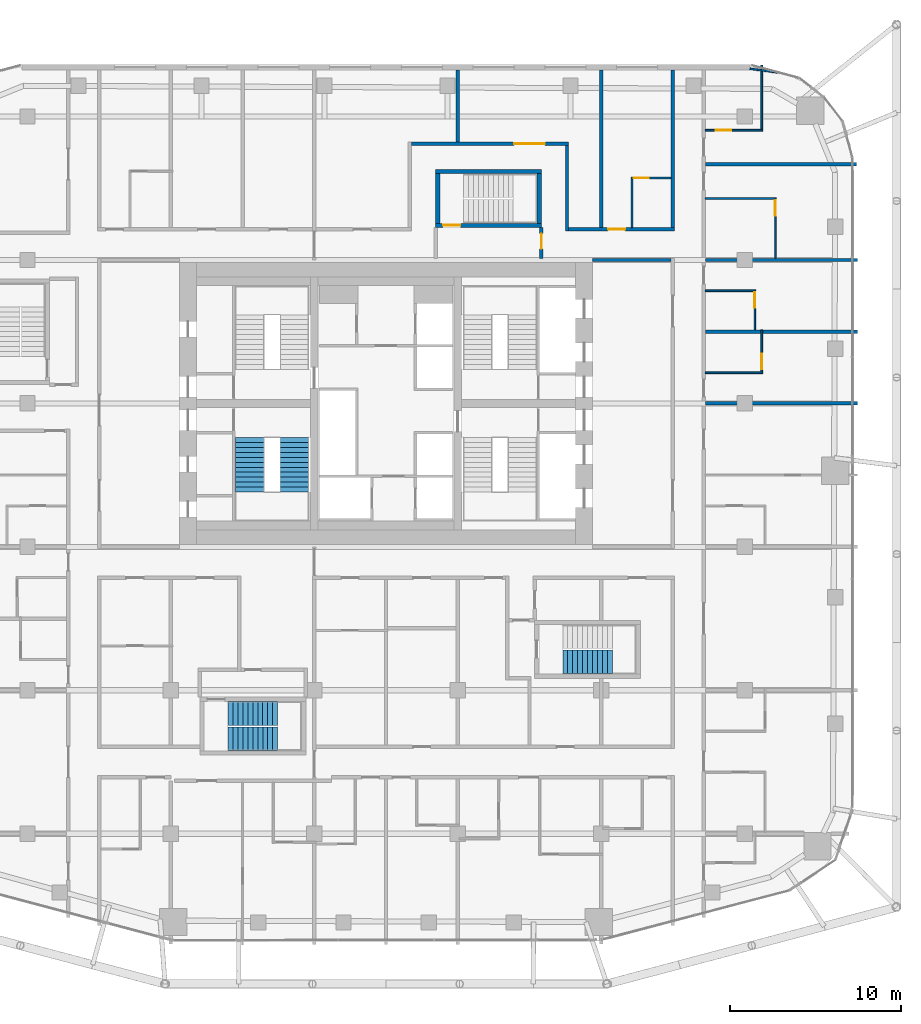
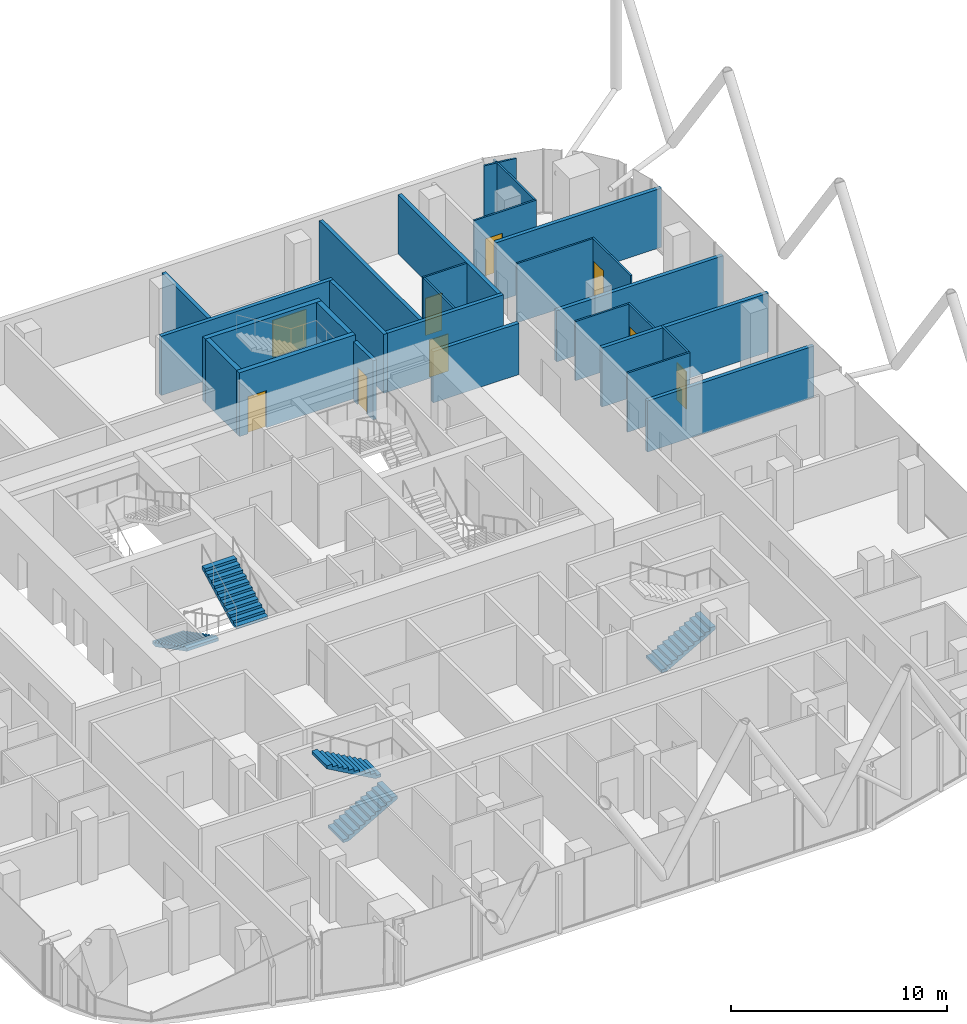
# One storey, part 33 of 36: 27 walls, 9 doors, 5 stair flights, 9 openings, 3 elements without a shape of their own.
"""IFC4 building model written with IfcOpenShell, lengths in metres."""

from ifc_helpers import new_model, si_unit, direction, frame, frame_2d, origin, place, context, subcontext, project, spatial, polyline, rectangle, outline, extrude, material, layer, layer_set, type_object, element, fill, aggregate, save


model = new_model("IFC4")

# Units and contexts
model_context = context("Model", 3, precision=1e-05, world=origin(), true_north=direction((0.0, 1.0)))
body_context = subcontext(model_context, "Body", "Model", "MODEL_VIEW")
ifc_project = project(units=[si_unit("LENGTHUNIT", "METRE"), si_unit("AREAUNIT", "SQUARE_METRE"), si_unit("VOLUMEUNIT", "CUBIC_METRE"), si_unit("PLANEANGLEUNIT", "RADIAN"), si_unit("MASSUNIT", "GRAM", prefix="KILO")], contexts=[model_context])

# Site, building, storey
site_placement = place(None, origin())
site = spatial("IfcSite", under=ifc_project, at=site_placement, CompositionType="ELEMENT")
building_placement = place(site_placement, origin())
building = spatial("IfcBuilding", under=site, at=building_placement, Name="Marenta Gate Hotel Tower", CompositionType="ELEMENT")
storey_placement = place(building_placement, frame((0.0, 0.0, 158.89990234375)))
storey = spatial("IfcBuildingStorey", under=building, at=storey_placement, Name="L37", CompositionType="ELEMENT", Elevation=158.89990234375)

# Wall
ifc_material_1 = material(Name="Concrete blockwork", Category="masonry")
ifc_layer_1 = layer(ifc_material_1, 0.199951171875)
ifc_layer_set_1 = layer_set([ifc_layer_1], Name="Concrete blockwork")
wall_type_1 = type_object("IfcWallType", Name="Core boundary wall 200 REI 180", PredefinedType="PARTITIONING", material=ifc_layer_set_1)
wall_1_placement = place(storey_placement, frame((12.10009765625, 16.800048828125, 0.0), z_axis=(0.0, 0.0, 1.0), x_axis=(1.0, 0.0, 0.0)))
element("IfcWall", 1, at=wall_1_placement, inside=storey, type_object=wall_type_1, Name="L37-CP-EW-EN", PredefinedType="PARTITIONING", context=body_context, shape_type="SweptSolid", body=[
    extrude(rectangle(XDim=4.599853515625, YDim=0.199951171875, at=frame_2d((2.2998046875, 0.0))), origin(), (0.0, 0.0, 1.0), 2.89013671875),
])

# Wall, opening, door
ifc_material_2 = material(Name="Concrete C40", Category="concrete")
ifc_layer_2 = layer(ifc_material_2, 0.25)
ifc_layer_set_2 = layer_set([ifc_layer_2], Name="Concrete C40")
wall_type_2 = type_object("IfcWallType", Name="Remote stair enclosure wall 250 REI 180", PredefinedType="SHEAR", material=ifc_layer_set_2)
wall_2_placement = place(storey_placement, frame((2.89990234375, 18.824951171875, 0.10009765625), z_axis=(0.0, 0.0, 1.0), x_axis=(1.0, 0.0, 0.0)))
wall_2 = element("IfcWall", 2, at=wall_2_placement, inside=storey, type_object=wall_type_2, Name="L37-RS-Z2-4-W1", PredefinedType="SHEAR", context=body_context, shape_type="SweptSolid", body=[
    extrude(rectangle(XDim=6.2001953125, YDim=0.25, at=frame_2d((3.10009765625, 0.0))), origin(), (0.0, 0.0, 1.0), 3.60009765625),
])
opening_1_placement = place(wall_2_placement, frame((0.449951171875, 0.0, 0.0)))
opening_1 = element("IfcOpeningElement", 3, at=opening_1_placement, cuts=wall_2, Name="Opening VD", PredefinedType="OPENING", context=body_context, shape_type="SweptSolid", body=[
    extrude(rectangle(XDim=1.0, YDim=2.10009765625, at=frame_2d((0.5, 1.050048828125))), frame((0.0, 0.125, 0.0), z_axis=(0.0, -1.0, 0.0), x_axis=(1.0, 0.0, 0.0)), (0.0, 0.0, 1.0), 0.25),
])
ifc_material_3 = material(Name="Steel", Category="steel")
door_type_1 = type_object("IfcDoorType", Name="Stair vestibule door 1000x2100 FD60", OperationType="SINGLE_SWING_LEFT", PredefinedType="DOOR", material=ifc_material_3)
door_1_placement = place(opening_1_placement, origin())
door_1 = element("IfcDoor", 4, at=door_1_placement, inside=storey, type_object=door_type_1, Name="VD", OperationType="SINGLE_SWING_LEFT", OverallHeight=2.10009765625, OverallWidth=1.0, PredefinedType="DOOR", context=body_context, shape_type="SweptSolid", body=[
    extrude(rectangle(XDim=1.0, YDim=2.10009765625, at=frame_2d((0.5, 1.050048828125))), frame((0.0, 0.02490234375, 0.0), z_axis=(0.0, -1.0, 0.0), x_axis=(1.0, 0.0, 0.0)), (0.0, 0.0, 1.0), 0.050048828125),
])
fill(opening_1, door_1)

# Walls
wall_3_placement = place(storey_placement, frame((2.89990234375, 21.97509765625, 0.10009765625), z_axis=(0.0, 0.0, 1.0), x_axis=(1.0, 0.0, 0.0)))
element("IfcWall", 5, at=wall_3_placement, inside=storey, type_object=wall_type_2, Name="L37-RS-Z2-4-W2", PredefinedType="SHEAR", context=body_context, shape_type="SweptSolid", body=[
    extrude(rectangle(XDim=6.2001953125, YDim=0.25, at=frame_2d((3.10009765625, 0.0))), origin(), (0.0, 0.0, 1.0), 3.60009765625),
])
for number, where, z_axis, x_axis, name in (
    (6, (3.02490234375, 18.949951171875, 0.10009765625), (0.0, 0.0, 1.0), (0.0, 1.0, 0.0), "L37-RS-Z2-4-W3"),
    (7, (8.97509765625, 18.949951171875, 0.10009765625), (0.0, 0.0, 1.0), (0.0, 1.0, 0.0), "L37-RS-Z2-4-W4"),
):
    element("IfcWall", number, at=place(storey_placement, frame(where, z_axis=z_axis, x_axis=x_axis)), inside=storey, type_object=wall_type_2, Name=name, PredefinedType="SHEAR", context=body_context, shape_type="SweptSolid", body=[
        extrude(rectangle(XDim=2.900146484375, YDim=0.25, at=frame_2d((1.4501953125, 0.0))), origin(), (0.0, 0.0, 1.0), 3.60009765625),
    ])
ifc_material_4 = material(Name="Gypsum board on steel stud", Category="steel")
ifc_layer_3 = layer(ifc_material_4, 0.199951171875)
ifc_layer_set_3 = layer_set([ifc_layer_3], Name="Gypsum board on steel stud")
wall_type_3 = type_object("IfcWallType", Name="Room corridor wall 200 EI 60", PredefinedType="PARTITIONING", material=ifc_layer_set_3)
wall_4_placement = place(storey_placement, frame((16.800048828125, 18.699951171875, 0.0), z_axis=(0.0, 0.0, 1.0), x_axis=(0.0, 1.0, 0.0)))
element("IfcWall", 8, at=wall_4_placement, inside=storey, type_object=wall_type_3, Name="L37-PTN-W018", PredefinedType="PARTITIONING", context=body_context, shape_type="SweptSolid", body=[
    extrude(rectangle(XDim=9.239990234375, YDim=0.199951171875, at=frame_2d((4.6201171875, 0.0))), origin(), (0.0, 0.0, 1.0), 3.340087890625),
])
wall_5_placement = place(storey_placement, frame((10.60009765625, 18.5, 0.0), z_axis=(0.0, 0.0, 1.0), x_axis=(0.0, 1.0, 0.0)))
element("IfcWall", 9, at=wall_5_placement, inside=storey, type_object=wall_type_3, Name="L37-PTN-W036", PredefinedType="PARTITIONING", context=body_context, shape_type="SweptSolid", body=[
    extrude(rectangle(XDim=5.0, YDim=0.199951171875, at=frame_2d((2.5, 0.0))), origin(), (0.0, 0.0, 1.0), 3.340087890625),
])

# Wall, opening, door
wall_6_placement = place(storey_placement, frame((10.699951171875, 18.60009765625, 0.0), z_axis=(0.0, 0.0, 1.0), x_axis=(1.0, 0.0, 0.0)))
wall_6 = element("IfcWall", 10, at=wall_6_placement, inside=storey, type_object=wall_type_3, Name="L37-PTN-W106", PredefinedType="PARTITIONING", context=body_context, shape_type="SweptSolid", body=[
    extrude(rectangle(XDim=6.199951171875, YDim=0.199951171875, at=frame_2d((3.10009765625, 0.0))), origin(), (0.0, 0.0, 1.0), 3.340087890625),
])
opening_2_placement = place(wall_6_placement, frame((2.300048828125, 0.0, 0.0)))
opening_2 = element("IfcOpeningElement", 11, at=opening_2_placement, cuts=wall_6, Name="Opening G14-28", PredefinedType="OPENING", context=body_context, shape_type="SweptSolid", body=[
    extrude(rectangle(XDim=1.0, YDim=2.10009765625, at=frame_2d((0.5, 1.050048828125))), frame((0.0, 0.10009765625, 0.0), z_axis=(0.0, -1.0, 0.0), x_axis=(1.0, 0.0, 0.0)), (0.0, 0.0, 1.0), 0.199951171875),
])
ifc_material_5 = material(Name="Timber door leaf", Category="wood")
door_type_2 = type_object("IfcDoorType", Name="Guest room door 1000x2100 EI 30", OperationType="NOTDEFINED", PredefinedType="DOOR", material=ifc_material_5)
door_2_placement = place(opening_2_placement, origin())
door_2 = element("IfcDoor", 12, at=door_2_placement, inside=storey, type_object=door_type_2, Name="L37-PD-D028", OperationType="SINGLE_SWING_LEFT", OverallHeight=2.10009765625, OverallWidth=1.0, PredefinedType="DOOR", context=body_context, shape_type="SweptSolid", body=[
    extrude(rectangle(XDim=1.0, YDim=2.10009765625, at=frame_2d((0.5, 1.050048828125))), frame((0.0, 0.02490234375, 0.0), z_axis=(0.0, -1.0, 0.0), x_axis=(1.0, 0.0, 0.0)), (0.0, 0.0, 1.0), 0.050048828125),
])
fill(opening_2, door_2)

wall_7_placement = place(storey_placement, frame((1.5, 23.60009765625, 0.0), z_axis=(0.0, 0.0, 1.0), x_axis=(1.0, 0.0, 0.0)))
wall_7 = element("IfcWall", 13, at=wall_7_placement, inside=storey, type_object=wall_type_3, Name="L37-PTN-W114", PredefinedType="PARTITIONING", context=body_context, shape_type="SweptSolid", body=[
    extrude(rectangle(XDim=9.199951171875, YDim=0.199951171875, at=frame_2d((4.60009765625, 0.0))), origin(), (0.0, 0.0, 1.0), 3.340087890625),
])
opening_3_placement = place(wall_7_placement, frame((6.0, 0.0, 0.0)))
opening_3 = element("IfcOpeningElement", 14, at=opening_3_placement, cuts=wall_7, Name="Opening G14-27", PredefinedType="OPENING", context=body_context, shape_type="SweptSolid", body=[
    extrude(rectangle(XDim=1.800048828125, YDim=2.10009765625, at=frame_2d((0.89990234375, 1.050048828125))), frame((0.0, 0.10009765625, 0.0), z_axis=(0.0, -1.0, 0.0), x_axis=(1.0, 0.0, 0.0)), (0.0, 0.0, 1.0), 0.199951171875),
])
ifc_material_6 = material(Name="Timber door leaf", Category="wood")
door_type_3 = type_object("IfcDoorType", Name="Room amenity door 1800x2100 EI 30", OperationType="DOUBLE_DOOR_SINGLE_SWING", PredefinedType="DOOR", material=ifc_material_6)
door_3_placement = place(opening_3_placement, origin())
door_3 = element("IfcDoor", 15, at=door_3_placement, inside=storey, type_object=door_type_3, Name="L37-PD-D027", OperationType="DOUBLE_DOOR_SINGLE_SWING", OverallHeight=2.10009765625, OverallWidth=1.800048828125, PredefinedType="DOOR", context=body_context, shape_type="SweptSolid", body=[
    extrude(rectangle(XDim=1.800048828125, YDim=2.10009765625, at=frame_2d((0.89990234375, 1.050048828125))), frame((0.0, 0.02490234375, 0.0), z_axis=(0.0, -1.0, 0.0), x_axis=(1.0, 0.0, 0.0)), (0.0, 0.0, 1.0), 0.050048828125),
])
fill(opening_3, door_3)

ifc_material_7 = material(Name="Concrete blockwork", Category="masonry")
ifc_layer_4 = layer(ifc_material_7, 0.199951171875)
ifc_layer_set_4 = layer_set([ifc_layer_4], Name="Concrete blockwork")
wall_type_4 = type_object("IfcWallType", Name="Room corridor wall 200 REI 180", PredefinedType="PARTITIONING", material=ifc_layer_set_4)
wall_8_placement = place(storey_placement, frame((9.10009765625, 16.89990234375, 0.0), z_axis=(0.0, 0.0, 1.0), x_axis=(0.0, 1.0, 0.0)))
wall_8 = element("IfcWall", 16, at=wall_8_placement, inside=storey, type_object=wall_type_4, Name="L37-PTN-W037", PredefinedType="PARTITIONING", context=body_context, shape_type="SweptSolid", body=[
    extrude(rectangle(XDim=1.800048828125, YDim=0.199951171875, at=frame_2d((0.89990234375, 0.0))), origin(), (0.0, 0.0, 1.0), 3.340087890625),
])
opening_4_placement = place(wall_8_placement, frame((0.550048828125, 0.0, 0.0)))
opening_4 = element("IfcOpeningElement", 17, at=opening_4_placement, cuts=wall_8, Name="Opening G14-58", PredefinedType="OPENING", context=body_context, shape_type="SweptSolid", body=[
    extrude(rectangle(XDim=0.89990234375, YDim=2.10009765625, at=frame_2d((0.449951171875, 1.050048828125))), frame((0.0, 0.10009765625, 0.0), z_axis=(0.0, -1.0, 0.0), x_axis=(1.0, 0.0, 0.0)), (0.0, 0.0, 1.0), 0.199951171875),
])
ifc_material_8 = material(Name="Hollow steel door set", Category="steel")
door_type_4 = type_object("IfcDoorType", Name="Stair vestibule door 900x2100 EI 60", OperationType="NOTDEFINED", PredefinedType="DOOR", material=ifc_material_8)
door_4_placement = place(opening_4_placement, origin())
door_4 = element("IfcDoor", 18, at=door_4_placement, inside=storey, type_object=door_type_4, Name="L37-PD-D058", OperationType="SINGLE_SWING_RIGHT", OverallHeight=2.10009765625, OverallWidth=0.89990234375, PredefinedType="DOOR", context=body_context, shape_type="SweptSolid", body=[
    extrude(rectangle(XDim=0.89990234375, YDim=2.10009765625, at=frame_2d((0.449951171875, 1.050048828125))), frame((0.0, 0.02490234375, 0.0), z_axis=(0.0, -1.0, 0.0), x_axis=(1.0, 0.0, 0.0)), (0.0, 0.0, 1.0), 0.050048828125),
])
fill(opening_4, door_4)

ifc_material_9 = material(Name="Gypsum board on steel stud", Category="steel")
ifc_layer_5 = layer(ifc_material_9, 0.10009765625)
ifc_layer_set_5 = layer_set([ifc_layer_5], Name="Gypsum board on steel stud")
wall_type_5 = type_object("IfcWallType", Name="Room partition 100", PredefinedType="PARTITIONING", material=ifc_layer_set_5)
wall_9_placement = place(storey_placement, frame((22.800048828125, 16.89990234375, 0.0), z_axis=(0.0, 0.0, 1.0), x_axis=(0.0, 1.0, 0.0)))
wall_9 = element("IfcWall", 19, at=wall_9_placement, inside=storey, type_object=wall_type_5, Name="L37-PTN-W001", PredefinedType="PARTITIONING", context=body_context, shape_type="SweptSolid", body=[
    extrude(rectangle(XDim=3.550048828125, YDim=0.10009765625, at=frame_2d((1.77490234375, 0.0))), origin(), (0.0, 0.0, 1.0), 3.340087890625),
])
opening_5_placement = place(wall_9_placement, frame((2.5, 0.0, 0.0)))
opening_5 = element("IfcOpeningElement", 20, at=opening_5_placement, cuts=wall_9, Name="Opening G14-22", PredefinedType="OPENING", context=body_context, shape_type="SweptSolid", body=[
    extrude(rectangle(XDim=0.89990234375, YDim=2.10009765625, at=frame_2d((0.449951171875, 1.050048828125))), frame((0.0, 0.050048828125, 0.0), z_axis=(0.0, -1.0, 0.0), x_axis=(1.0, 0.0, 0.0)), (0.0, 0.0, 1.0), 0.10009765625),
])
ifc_material_10 = material(Name="Timber door leaf", Category="wood")
door_type_5 = type_object("IfcDoorType", Name="Guest bathroom door 900x2100", OperationType="NOTDEFINED", PredefinedType="DOOR", material=ifc_material_10)
door_5_placement = place(opening_5_placement, origin())
door_5 = element("IfcDoor", 21, at=door_5_placement, inside=storey, type_object=door_type_5, Name="L37-PD-D022", OperationType="SINGLE_SWING_RIGHT", OverallHeight=2.10009765625, OverallWidth=0.89990234375, PredefinedType="DOOR", context=body_context, shape_type="SweptSolid", body=[
    extrude(rectangle(XDim=0.89990234375, YDim=2.10009765625, at=frame_2d((0.449951171875, 1.050048828125))), frame((0.0, 0.02490234375, 0.0), z_axis=(0.0, -1.0, 0.0), x_axis=(1.0, 0.0, 0.0)), (0.0, 0.0, 1.0), 0.050048828125),
])
fill(opening_5, door_5)

wall_10_placement = place(storey_placement, frame((22.0, 10.25, 0.0), z_axis=(0.0, 0.0, 1.0), x_axis=(0.0, 1.0, 0.0)))
wall_10 = element("IfcWall", 22, at=wall_10_placement, inside=storey, type_object=wall_type_5, Name="L37-PTN-W005", PredefinedType="PARTITIONING", context=body_context, shape_type="SweptSolid", body=[
    extrude(rectangle(XDim=2.449951171875, YDim=0.10009765625, at=frame_2d((1.22509765625, 0.0))), origin(), (0.0, 0.0, 1.0), 3.340087890625),
])
opening_6_placement = place(wall_10_placement, frame((0.14990234375, 0.0, 0.0)))
opening_6 = element("IfcOpeningElement", 23, at=opening_6_placement, cuts=wall_10, Name="Opening G14-18", PredefinedType="OPENING", context=body_context, shape_type="SweptSolid", body=[
    extrude(rectangle(XDim=0.89990234375, YDim=2.10009765625, at=frame_2d((0.449951171875, 1.050048828125))), frame((0.0, 0.050048828125, 0.0), z_axis=(0.0, -1.0, 0.0), x_axis=(1.0, 0.0, 0.0)), (0.0, 0.0, 1.0), 0.10009765625),
])
door_6_placement = place(opening_6_placement, origin())
door_6 = element("IfcDoor", 24, at=door_6_placement, inside=storey, type_object=door_type_5, Name="L37-PD-D018", OperationType="SINGLE_SWING_LEFT", OverallHeight=2.10009765625, OverallWidth=0.89990234375, PredefinedType="DOOR", context=body_context, shape_type="SweptSolid", body=[
    extrude(rectangle(XDim=0.89990234375, YDim=2.10009765625, at=frame_2d((0.449951171875, 1.050048828125))), frame((0.0, 0.02490234375, 0.0), z_axis=(0.0, -1.0, 0.0), x_axis=(1.0, 0.0, 0.0)), (0.0, 0.0, 1.0), 0.050048828125),
])
fill(opening_6, door_6)

# Wall
wall_11_placement = place(storey_placement, frame((22.0, 24.449951171875, 0.0), z_axis=(0.0, 0.0, 1.0), x_axis=(0.0, 1.0, 0.0)))
element("IfcWall", 25, at=wall_11_placement, inside=storey, type_object=wall_type_5, Name="L37-PTN-W006", PredefinedType="PARTITIONING", context=body_context, shape_type="SweptSolid", body=[
    extrude(rectangle(XDim=3.758056640625, YDim=0.10009765625, at=frame_2d((1.87890625, 0.0))), origin(), (0.0, 0.0, 1.0), 3.340087890625),
])

# Wall, opening, door
wall_12_placement = place(storey_placement, frame((21.60009765625, 12.699951171875, 0.0), z_axis=(0.0, 0.0, 1.0), x_axis=(0.0, 1.0, 0.0)))
wall_12 = element("IfcWall", 26, at=wall_12_placement, inside=storey, type_object=wall_type_5, Name="L37-PTN-W008", PredefinedType="PARTITIONING", context=body_context, shape_type="SweptSolid", body=[
    extrude(rectangle(XDim=2.35009765625, YDim=0.10009765625, at=frame_2d((1.175048828125, 0.0))), origin(), (0.0, 0.0, 1.0), 3.340087890625),
])
opening_7_placement = place(wall_12_placement, frame((1.300048828125, 0.0, 0.0)))
opening_7 = element("IfcOpeningElement", 27, at=opening_7_placement, cuts=wall_12, Name="Opening G14-20", PredefinedType="OPENING", context=body_context, shape_type="SweptSolid", body=[
    extrude(rectangle(XDim=0.89990234375, YDim=2.10009765625, at=frame_2d((0.449951171875, 1.050048828125))), frame((0.0, 0.050048828125, 0.0), z_axis=(0.0, -1.0, 0.0), x_axis=(1.0, 0.0, 0.0)), (0.0, 0.0, 1.0), 0.10009765625),
])
door_7_placement = place(opening_7_placement, origin())
door_7 = element("IfcDoor", 28, at=door_7_placement, inside=storey, type_object=door_type_5, Name="L37-PD-D020", OperationType="SINGLE_SWING_RIGHT", OverallHeight=2.10009765625, OverallWidth=0.89990234375, PredefinedType="DOOR", context=body_context, shape_type="SweptSolid", body=[
    extrude(rectangle(XDim=0.89990234375, YDim=2.10009765625, at=frame_2d((0.449951171875, 1.050048828125))), frame((0.0, 0.02490234375, 0.0), z_axis=(0.0, -1.0, 0.0), x_axis=(1.0, 0.0, 0.0)), (0.0, 0.0, 1.0), 0.050048828125),
])
fill(opening_7, door_7)

# Walls
wall_13_placement = place(storey_placement, frame((14.39990234375, 18.699951171875, 0.0), z_axis=(0.0, 0.0, 1.0), x_axis=(0.0, 1.0, 0.0)))
element("IfcWall", 29, at=wall_13_placement, inside=storey, type_object=wall_type_5, Name="L37-PTN-W024", PredefinedType="PARTITIONING", context=body_context, shape_type="SweptSolid", body=[
    extrude(rectangle(XDim=2.85009765625, YDim=0.10009765625, at=frame_2d((1.425048828125, 0.0))), origin(), (0.0, 0.0, 1.0), 3.340087890625),
])
wall_14_placement = place(storey_placement, frame((18.699951171875, 10.199951171875, 0.0), z_axis=(0.0, 0.0, 1.0), x_axis=(1.0, 0.0, 0.0)))
element("IfcWall", 30, at=wall_14_placement, inside=storey, type_object=wall_type_5, Name="L37-PTN-W086", PredefinedType="PARTITIONING", context=body_context, shape_type="SweptSolid", body=[
    extrude(rectangle(XDim=3.35009765625, YDim=0.10009765625, at=frame_2d((1.675048828125, 0.0))), origin(), (0.0, 0.0, 1.0), 3.340087890625),
])
wall_15_placement = place(storey_placement, frame((18.699951171875, 15.0, 0.0), z_axis=(0.0, 0.0, 1.0), x_axis=(1.0, 0.0, 0.0)))
element("IfcWall", 31, at=wall_15_placement, inside=storey, type_object=wall_type_5, Name="L37-PTN-W094", PredefinedType="PARTITIONING", context=body_context, shape_type="SweptSolid", body=[
    extrude(rectangle(XDim=2.85009765625, YDim=0.10009765625, at=frame_2d((1.425048828125, 0.0))), origin(), (0.0, 0.0, 1.0), 3.340087890625),
])
wall_16_placement = place(storey_placement, frame((18.699951171875, 20.39990234375, 0.0), z_axis=(0.0, 0.0, 1.0), x_axis=(1.0, 0.0, 0.0)))
element("IfcWall", 32, at=wall_16_placement, inside=storey, type_object=wall_type_5, Name="L37-PTN-W107", PredefinedType="PARTITIONING", context=body_context, shape_type="SweptSolid", body=[
    extrude(rectangle(XDim=4.050048828125, YDim=0.10009765625, at=frame_2d((2.02490234375, 0.0))), origin(), (0.0, 0.0, 1.0), 3.340087890625),
])

# Wall, opening, door
wall_17_placement = place(storey_placement, frame((14.35009765625, 21.60009765625, 0.0), z_axis=(0.0, 0.0, 1.0), x_axis=(1.0, 0.0, 0.0)))
wall_17 = element("IfcWall", 33, at=wall_17_placement, inside=storey, type_object=wall_type_5, Name="L37-PTN-W110", PredefinedType="PARTITIONING", context=body_context, shape_type="SweptSolid", body=[
    extrude(rectangle(XDim=2.349853515625, YDim=0.10009765625, at=frame_2d((1.1748046875, 0.0))), origin(), (0.0, 0.0, 1.0), 3.340087890625),
])
opening_8_placement = place(wall_17_placement, frame((0.14990234375, 0.0, 0.0)))
opening_8 = element("IfcOpeningElement", 34, at=opening_8_placement, cuts=wall_17, Name="Opening G14-29", PredefinedType="OPENING", context=body_context, shape_type="SweptSolid", body=[
    extrude(rectangle(XDim=0.89990234375, YDim=2.10009765625, at=frame_2d((0.449951171875, 1.050048828125))), frame((0.0, 0.050048828125, 0.0), z_axis=(0.0, -1.0, 0.0), x_axis=(1.0, 0.0, 0.0)), (0.0, 0.0, 1.0), 0.10009765625),
])
door_8_placement = place(opening_8_placement, origin())
door_8 = element("IfcDoor", 35, at=door_8_placement, inside=storey, type_object=door_type_5, Name="L37-PD-D029", OperationType="SINGLE_SWING_RIGHT", OverallHeight=2.10009765625, OverallWidth=0.89990234375, PredefinedType="DOOR", context=body_context, shape_type="SweptSolid", body=[
    extrude(rectangle(XDim=0.89990234375, YDim=2.10009765625, at=frame_2d((0.449951171875, 1.050048828125))), frame((0.0, 0.02490234375, 0.0), z_axis=(0.0, -1.0, 0.0), x_axis=(1.0, 0.0, 0.0)), (0.0, 0.0, 1.0), 0.050048828125),
])
fill(opening_8, door_8)

wall_18_placement = place(storey_placement, frame((18.699951171875, 24.39990234375, 0.0), z_axis=(0.0, 0.0, 1.0), x_axis=(1.0, 0.0, 0.0)))
wall_18 = element("IfcWall", 36, at=wall_18_placement, inside=storey, type_object=wall_type_5, Name="L37-PTN-W115", PredefinedType="PARTITIONING", context=body_context, shape_type="SweptSolid", body=[
    extrude(rectangle(XDim=3.35009765625, YDim=0.10009765625, at=frame_2d((1.675048828125, 0.0))), origin(), (0.0, 0.0, 1.0), 3.340087890625),
])
opening_9_placement = place(wall_18_placement, frame((0.6201171875, 0.0, 0.0)))
opening_9 = element("IfcOpeningElement", 37, at=opening_9_placement, cuts=wall_18, Name="Opening G14-24", PredefinedType="OPENING", context=body_context, shape_type="SweptSolid", body=[
    extrude(rectangle(XDim=0.89990234375, YDim=2.10009765625, at=frame_2d((0.449951171875, 1.050048828125))), frame((0.0, 0.050048828125, 0.0), z_axis=(0.0, -1.0, 0.0), x_axis=(1.0, 0.0, 0.0)), (0.0, 0.0, 1.0), 0.10009765625),
])
door_9_placement = place(opening_9_placement, origin())
door_9 = element("IfcDoor", 38, at=door_9_placement, inside=storey, type_object=door_type_5, Name="L37-PD-D024", OperationType="SINGLE_SWING_RIGHT", OverallHeight=2.10009765625, OverallWidth=0.89990234375, PredefinedType="DOOR", context=body_context, shape_type="SweptSolid", body=[
    extrude(rectangle(XDim=0.89990234375, YDim=2.10009765625, at=frame_2d((0.449951171875, 1.050048828125))), frame((0.0, 0.02490234375, 0.0), z_axis=(0.0, -1.0, 0.0), x_axis=(1.0, 0.0, 0.0)), (0.0, 0.0, 1.0), 0.050048828125),
])
fill(opening_9, door_9)

# Walls
wall_19_placement = place(storey_placement, frame((21.31201171875, 27.998046875, 0.0), z_axis=(0.0, 0.0, 1.0), x_axis=(0.991547575144, -0.129743617284, 0.0)))
element("IfcWall", 39, at=wall_19_placement, inside=storey, type_object=wall_type_5, Name="L37-PTN-W117", PredefinedType="PARTITIONING", context=body_context, shape_type="SweptSolid", body=[
    extrude(rectangle(XDim=1.625732421875, YDim=0.10009765625, at=frame_2d((0.81298828125, 0.0))), origin(), (0.0, 0.0, 1.0), 3.340087890625),
])
ifc_material_11 = material(Name="Gypsum board on steel stud", Category="steel")
ifc_layer_6 = layer(ifc_material_11, 0.199951171875)
ifc_layer_set_6 = layer_set([ifc_layer_6], Name="Gypsum board on steel stud")
wall_type_6 = type_object("IfcWallType", Name="Room party wall 200 EI 60", PredefinedType="PARTITIONING", material=ifc_layer_set_6)
wall_20_placement = place(storey_placement, frame((12.60009765625, 18.699951171875, 0.0), z_axis=(0.0, 0.0, 1.0), x_axis=(0.0, 1.0, 0.0)))
element("IfcWall", 40, at=wall_20_placement, inside=storey, type_object=wall_type_6, Name="L37-PTN-W032", PredefinedType="PARTITIONING", context=body_context, shape_type="SweptSolid", body=[
    extrude(rectangle(XDim=9.239990234375, YDim=0.199951171875, at=frame_2d((4.6201171875, 0.0))), origin(), (0.0, 0.0, 1.0), 3.340087890625),
])
wall_21_placement = place(storey_placement, frame((4.199951171875, 23.699951171875, 0.0), z_axis=(0.0, 0.0, 1.0), x_axis=(0.0, 1.0, 0.0)))
element("IfcWall", 41, at=wall_21_placement, inside=storey, type_object=wall_type_6, Name="L37-PTN-W056", PredefinedType="PARTITIONING", context=body_context, shape_type="SweptSolid", body=[
    extrude(rectangle(XDim=4.239990234375, YDim=0.199951171875, at=frame_2d((2.1201171875, 0.0))), origin(), (0.0, 0.0, 1.0), 3.340087890625),
])
wall_22_placement = place(storey_placement, frame((18.699951171875, 8.39990234375, 0.0), z_axis=(0.0, 0.0, 1.0), x_axis=(1.0, 0.0, 0.0)))
element("IfcWall", 42, at=wall_22_placement, inside=storey, type_object=wall_type_6, Name="L37-PTN-W083", PredefinedType="PARTITIONING", context=body_context, shape_type="SweptSolid", body=[
    extrude(rectangle(XDim=8.900146484375, YDim=0.199951171875, at=frame_2d((4.4501953125, 0.0))), origin(), (0.0, 0.0, 1.0), 2.89013671875),
])
wall_23_placement = place(storey_placement, frame((18.699951171875, 12.60009765625, 0.0), z_axis=(0.0, 0.0, 1.0), x_axis=(1.0, 0.0, 0.0)))
element("IfcWall", 43, at=wall_23_placement, inside=storey, type_object=wall_type_6, Name="L37-PTN-W091", PredefinedType="PARTITIONING", context=body_context, shape_type="SweptSolid", body=[
    extrude(rectangle(XDim=8.900146484375, YDim=0.199951171875, at=frame_2d((4.4501953125, 0.0))), origin(), (0.0, 0.0, 1.0), 3.340087890625),
])
wall_24_placement = place(storey_placement, frame((18.699951171875, 16.800048828125, 0.0), z_axis=(0.0, 0.0, 1.0), x_axis=(1.0, 0.0, 0.0)))
element("IfcWall", 44, at=wall_24_placement, inside=storey, type_object=wall_type_6, Name="L37-PTN-W100", PredefinedType="PARTITIONING", context=body_context, shape_type="SweptSolid", body=[
    extrude(rectangle(XDim=8.900146484375, YDim=0.199951171875, at=frame_2d((4.4501953125, 0.0))), origin(), (0.0, 0.0, 1.0), 2.89013671875),
])
wall_25_placement = place(storey_placement, frame((18.699951171875, 22.39990234375, 0.0), z_axis=(0.0, 0.0, 1.0), x_axis=(1.0, 0.0, 0.0)))
element("IfcWall", 45, at=wall_25_placement, inside=storey, type_object=wall_type_6, Name="L37-PTN-W113", PredefinedType="PARTITIONING", context=body_context, shape_type="SweptSolid", body=[
    extrude(rectangle(XDim=8.84716796875, YDim=0.199951171875, at=frame_2d((4.423583984375, 0.0))), origin(), (0.0, 0.0, 1.0), 3.340087890625),
])

# Stair, stair flights
ifc_material_12 = material(Name="Concrete C40", Category="concrete")
stair_type_1 = type_object("IfcStairType", Name="Core exit stair 1700 wide", PredefinedType="HALF_TURN_STAIR", material=ifc_material_12)
stair_1_placement = place(storey_placement, origin())
stair_1 = element("IfcStair", 46, at=stair_1_placement, inside=storey, type_object=stair_type_1, Name="Exit stair 1", PredefinedType="HALF_TURN_STAIR")
ifc_material_13 = material(Name="Concrete C40", Category="concrete")
stair_flight_type_1 = type_object("IfcStairFlightType", Name="Core stair flight 1700 riser 150.0 going 290", PredefinedType="STRAIGHT", material=ifc_material_13)
stair_flight_1_placement = place(storey_placement, frame((-8.0, 6.39990234375, 0.0), z_axis=(0.0, 0.0, 1.0), x_axis=(0.0, -1.0, 0.0)))
stair_flight_1 = element("IfcStairFlight", 47, at=stair_flight_1_placement, type_object=stair_flight_type_1, Name="ST1 flight 1", NumberOfRisers=12, NumberOfTreads=11, PredefinedType="STRAIGHT", RiserHeight=0.15, TreadLength=0.29, context=body_context, shape_type="SweptSolid", body=[
    extrude(outline(polyline([(0.0, 0.0), (0.0, 0.14990234375), (0.2900390625, 0.14990234375), (0.2900390625, 0.300048828125), (0.580078125, 0.300048828125), (0.580078125, 0.449951171875), (0.8701171875, 0.449951171875), (0.8701171875, 0.60009765625), (1.159912109375, 0.60009765625), (1.159912109375, 0.75), (1.449951171875, 0.75), (1.449951171875, 0.89990234375), (1.739990234375, 0.89990234375), (1.739990234375, 1.050048828125), (2.030029296875, 1.050048828125), (2.030029296875, 1.199951171875), (2.320068359375, 1.199951171875), (2.320068359375, 1.35009765625), (2.610107421875, 1.35009765625), (2.610107421875, 1.5), (2.89990234375, 1.5), (2.89990234375, 1.64990234375), (3.18994140625, 1.64990234375), (3.18994140625, 1.800048828125), (3.18994140625, 1.481201171875), (0.326171875, 0.0), (0.0, 0.0)])), frame((0.0, 0.85009765625, 0.0), z_axis=(0.0, -1.0, 0.0), x_axis=(1.0, 0.0, 0.0)), (0.0, 0.0, 1.0), 1.699951171875),
])
stair_flight_2_placement = place(storey_placement, frame((-5.35009765625, 3.2099609375, 1.800048828125), z_axis=(0.0, 0.0, 1.0), x_axis=(0.0, 1.0, 0.0)))
stair_flight_2 = element("IfcStairFlight", 48, at=stair_flight_2_placement, type_object=stair_flight_type_1, Name="ST1 flight 2", NumberOfRisers=12, NumberOfTreads=11, PredefinedType="STRAIGHT", RiserHeight=0.15, TreadLength=0.29, context=body_context, shape_type="SweptSolid", body=[
    extrude(outline(polyline([(0.0, 0.0), (0.0, 0.14990234375), (0.2900390625, 0.14990234375), (0.2900390625, 0.300048828125), (0.580078125, 0.300048828125), (0.580078125, 0.449951171875), (0.8701171875, 0.449951171875), (0.8701171875, 0.60009765625), (1.159912109375, 0.60009765625), (1.159912109375, 0.75), (1.449951171875, 0.75), (1.449951171875, 0.89990234375), (1.739990234375, 0.89990234375), (1.739990234375, 1.050048828125), (2.030029296875, 1.050048828125), (2.030029296875, 1.199951171875), (2.320068359375, 1.199951171875), (2.320068359375, 1.35009765625), (2.610107421875, 1.35009765625), (2.610107421875, 1.5), (2.89990234375, 1.5), (2.89990234375, 1.64990234375), (3.18994140625, 1.64990234375), (3.18994140625, 1.800048828125), (3.18994140625, 1.481201171875), (0.326171875, 0.0), (0.0, 0.0)])), frame((0.0, 0.85009765625, 0.0), z_axis=(0.0, -1.0, 0.0), x_axis=(1.0, 0.0, 0.0)), (0.0, 0.0, 1.0), 1.699951171875),
])
aggregate(stair_1, [stair_flight_1, stair_flight_2])

ifc_material_14 = material(Name="Concrete C40", Category="concrete")
stair_type_2 = type_object("IfcStairType", Name="Remote exit stair 1400 wide", PredefinedType="HALF_TURN_STAIR", material=ifc_material_14)
stair_2_placement = place(storey_placement, origin())
stair_2 = element("IfcStair", 49, at=stair_2_placement, inside=storey, type_object=stair_type_2, Name="Exit stair RS-Z2-1", PredefinedType="HALF_TURN_STAIR")
ifc_material_15 = material(Name="Concrete C40", Category="concrete")
stair_flight_type_2 = type_object("IfcStairFlightType", Name="Remote stair flight 1400 riser 163.6 going 290", PredefinedType="STRAIGHT", material=ifc_material_15)
stair_flight_3_placement = place(storey_placement, frame((-9.25, -11.25, 0.0), z_axis=(0.0, 0.0, 1.0), x_axis=(1.0, 0.0, 0.0)))
stair_flight_3 = element("IfcStairFlight", 50, at=stair_flight_3_placement, type_object=stair_flight_type_2, Name="RS-Z2-1 flight 1", NumberOfRisers=11, NumberOfTreads=10, PredefinedType="STRAIGHT", RiserHeight=0.163636, TreadLength=0.29, context=body_context, shape_type="SweptSolid", body=[
    extrude(outline(polyline([(0.0, 0.0), (0.0, 0.16357421875), (0.2900390625, 0.16357421875), (0.2900390625, 0.327392578125), (0.580078125, 0.327392578125), (0.580078125, 0.490966796875), (0.8701171875, 0.490966796875), (0.8701171875, 0.654541015625), (1.159912109375, 0.654541015625), (1.159912109375, 0.818115234375), (1.449951171875, 0.818115234375), (1.449951171875, 0.98193359375), (1.739990234375, 0.98193359375), (1.739990234375, 1.1455078125), (2.030029296875, 1.1455078125), (2.030029296875, 1.30908203125), (2.320068359375, 1.30908203125), (2.320068359375, 1.47265625), (2.610107421875, 1.47265625), (2.610107421875, 1.636474609375), (2.89990234375, 1.636474609375), (2.89990234375, 1.800048828125), (2.89990234375, 1.46435546875), (0.304931640625, 0.0), (0.0, 0.0)])), frame((0.0, 0.699951171875, 0.0), z_axis=(0.0, -1.0, 0.0), x_axis=(1.0, 0.0, 0.0)), (0.0, 0.0, 1.0), 1.39990234375),
])
stair_flight_4_placement = place(storey_placement, frame((-6.35009765625, -9.75, 1.800048828125), z_axis=(0.0, 0.0, 1.0), x_axis=(-1.0, 0.0, 0.0)))
stair_flight_4 = element("IfcStairFlight", 51, at=stair_flight_4_placement, type_object=stair_flight_type_2, Name="RS-Z2-1 flight 2", NumberOfRisers=11, NumberOfTreads=10, PredefinedType="STRAIGHT", RiserHeight=0.163636, TreadLength=0.29, context=body_context, shape_type="SweptSolid", body=[
    extrude(outline(polyline([(0.0, 0.0), (0.0, 0.16357421875), (0.2900390625, 0.16357421875), (0.2900390625, 0.327392578125), (0.580078125, 0.327392578125), (0.580078125, 0.490966796875), (0.8701171875, 0.490966796875), (0.8701171875, 0.654541015625), (1.159912109375, 0.654541015625), (1.159912109375, 0.818115234375), (1.449951171875, 0.818115234375), (1.449951171875, 0.98193359375), (1.739990234375, 0.98193359375), (1.739990234375, 1.1455078125), (2.030029296875, 1.1455078125), (2.030029296875, 1.30908203125), (2.320068359375, 1.30908203125), (2.320068359375, 1.47265625), (2.610107421875, 1.47265625), (2.610107421875, 1.636474609375), (2.89990234375, 1.636474609375), (2.89990234375, 1.800048828125), (2.89990234375, 1.46435546875), (0.304931640625, 0.0), (0.0, 0.0)])), frame((0.0, 0.699951171875, 0.0), z_axis=(0.0, -1.0, 0.0), x_axis=(1.0, 0.0, 0.0)), (0.0, 0.0, 1.0), 1.39990234375),
])
aggregate(stair_2, [stair_flight_3, stair_flight_4])

# Stair, stair flight
stair_3_placement = place(storey_placement, origin())
stair_3 = element("IfcStair", 52, at=stair_3_placement, inside=storey, type_object=stair_type_2, Name="Exit stair RS-Z2-2", PredefinedType="HALF_TURN_STAIR")
stair_flight_5_placement = place(storey_placement, frame((10.35009765625, -6.75, 0.0), z_axis=(0.0, 0.0, 1.0), x_axis=(1.0, 0.0, 0.0)))
stair_flight_5 = element("IfcStairFlight", 53, at=stair_flight_5_placement, type_object=stair_flight_type_2, Name="RS-Z2-2 flight 1", NumberOfRisers=11, NumberOfTreads=10, PredefinedType="STRAIGHT", RiserHeight=0.163636, TreadLength=0.29, context=body_context, shape_type="SweptSolid", body=[
    extrude(outline(polyline([(0.0, 0.0), (0.0, 0.16357421875), (0.2900390625, 0.16357421875), (0.2900390625, 0.327392578125), (0.580078125, 0.327392578125), (0.580078125, 0.490966796875), (0.8701171875, 0.490966796875), (0.8701171875, 0.654541015625), (1.159912109375, 0.654541015625), (1.159912109375, 0.818115234375), (1.449951171875, 0.818115234375), (1.449951171875, 0.98193359375), (1.739990234375, 0.98193359375), (1.739990234375, 1.1455078125), (2.030029296875, 1.1455078125), (2.030029296875, 1.30908203125), (2.320068359375, 1.30908203125), (2.320068359375, 1.47265625), (2.610107421875, 1.47265625), (2.610107421875, 1.636474609375), (2.89990234375, 1.636474609375), (2.89990234375, 1.800048828125), (2.89990234375, 1.46435546875), (0.304931640625, 0.0), (0.0, 0.0)])), frame((0.0, 0.699951171875, 0.0), z_axis=(0.0, -1.0, 0.0), x_axis=(1.0, 0.0, 0.0)), (0.0, 0.0, 1.0), 1.39990234375),
])
aggregate(stair_3, [stair_flight_5])

save(model, "model.ifc")
